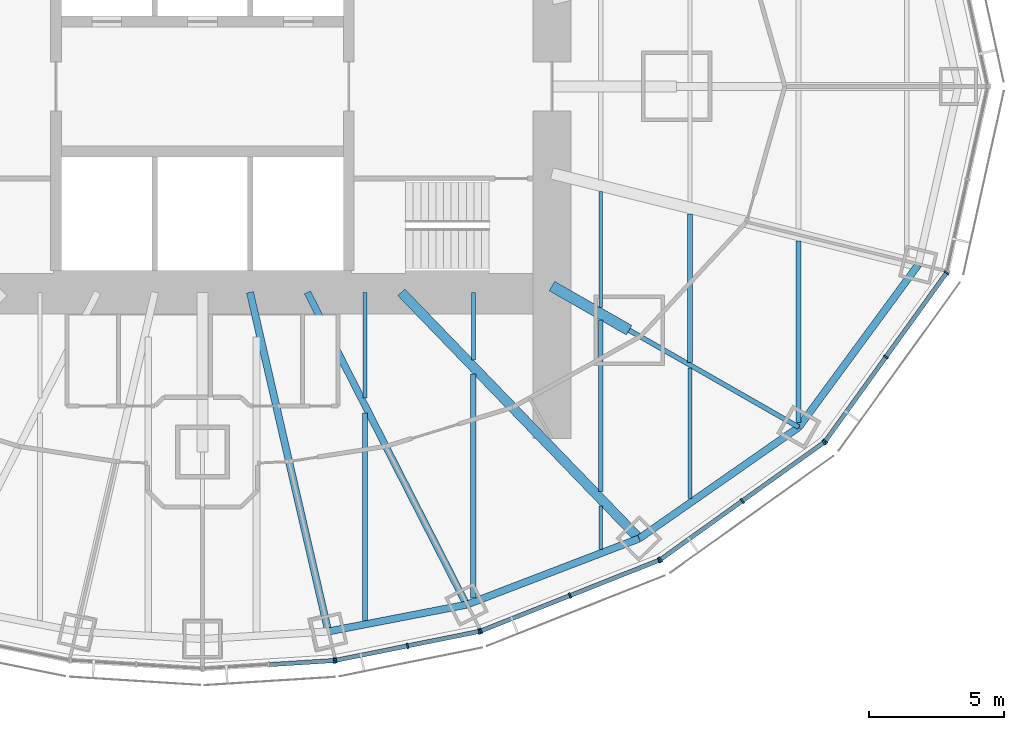
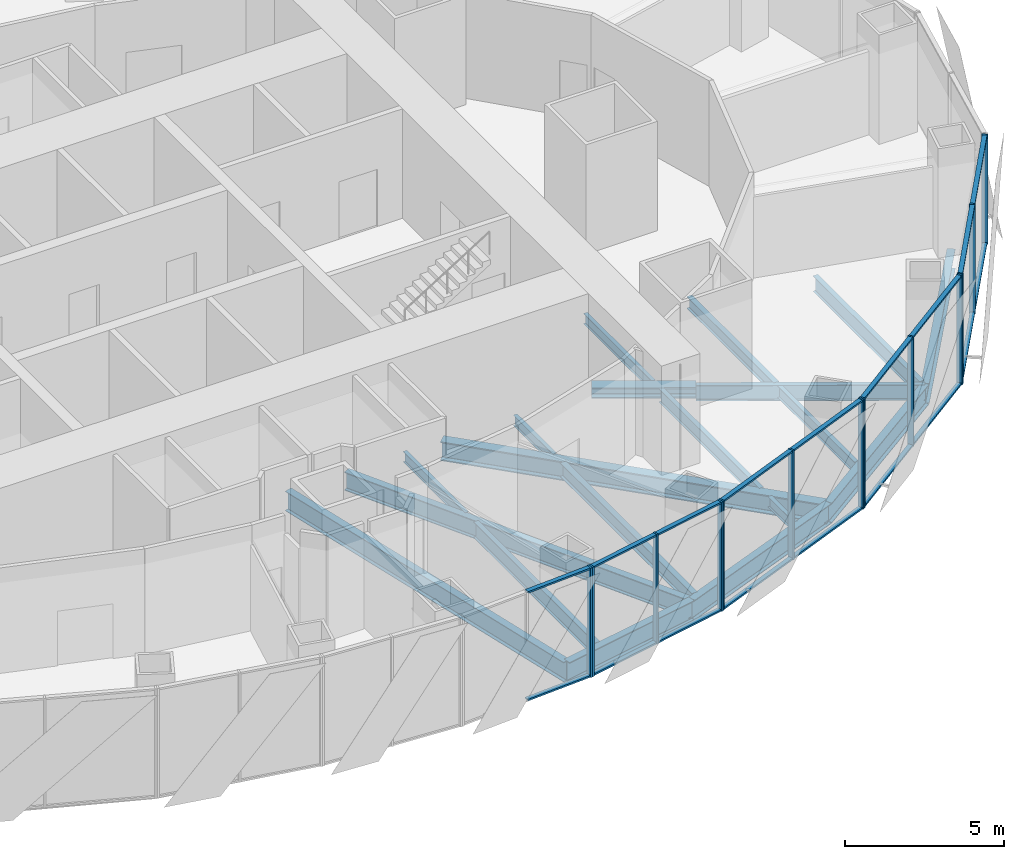
# One storey, part 5 of 17: 31 members, 19 beams, 5 elements without a shape of their own.
"""IFC4 building model written with IfcOpenShell, lengths in metres."""

from ifc_helpers import new_model, si_unit, direction, frame, origin, origin_2d, place, context, subcontext, project, spatial, rectangle, i_section, extrude, material, material_profile, profile_set, type_object, element, aggregate, save


model = new_model("IFC4")

# Units and contexts
model_context = context("Model", 3, precision=1e-05, world=origin(), true_north=direction((0.0, 1.0)))
body_context = subcontext(model_context, "Body", "Model", "MODEL_VIEW")
ifc_project = project(units=[si_unit("LENGTHUNIT", "METRE"), si_unit("AREAUNIT", "SQUARE_METRE"), si_unit("VOLUMEUNIT", "CUBIC_METRE"), si_unit("PLANEANGLEUNIT", "RADIAN"), si_unit("MASSUNIT", "GRAM", prefix="KILO")], contexts=[model_context])

# Site, building, storey
site_placement = place(None, origin())
site = spatial("IfcSite", under=ifc_project, at=site_placement, CompositionType="ELEMENT")
building_placement = place(site_placement, origin())
building = spatial("IfcBuilding", under=site, at=building_placement, Name="Lantaw Convention Tower", CompositionType="ELEMENT")
storey_placement = place(building_placement, frame((0.0, 0.0, 163.60009765625)))
storey = spatial("IfcBuildingStorey", under=building, at=storey_placement, Name="L38", CompositionType="ELEMENT", Elevation=163.60009765625)

# Beams
ifc_material_1 = material(Name="Steel ASTM A992", Category="steel")
ifc_material_profile_1 = material_profile(ifc_material_1, i_section(OverallWidth=0.2666015625, OverallDepth=0.76953125, WebThickness=0.015625, FlangeThickness=0.025390625, FilletRadius=0.0126953125, at=origin_2d()), Name="W30X132")
ifc_profile_set_1 = profile_set([ifc_material_profile_1], Name="Steel ASTM A992")
beam_type_1 = type_object("IfcBeamType", Name="Beam E W30X132", PredefinedType="SPANDREL", material=ifc_profile_set_1)
beam_1_placement = place(storey_placement, frame((4.64501953125, -20.1201171875, -0.534912109375), z_axis=(0.981796805654, 0.189934284446, 0.0), x_axis=(-0.189934284446, 0.981796805654, 0.0)))
element("IfcBeam", 1, at=beam_1_placement, inside=storey, type_object=beam_type_1, Name="Edge beam 20", PredefinedType="SPANDREL", context=body_context, shape_type="SweptSolid", body=[
    extrude(i_section(OverallWidth=0.2666015625, OverallDepth=0.76953125, WebThickness=0.015625, FlangeThickness=0.025390625, FilletRadius=0.0126953125, at=origin_2d()), origin(), (0.0, 0.0, 1.0), 5.1982421875),
])
beam_2_placement = place(storey_placement, frame((9.74853515625, -19.1328125, -0.534912109375), z_axis=(0.933691081977, 0.358079549033, 0.0), x_axis=(-0.358079549033, 0.933691081977, 0.0)))
element("IfcBeam", 2, at=beam_2_placement, inside=storey, type_object=beam_type_1, Name="Edge beam 21", PredefinedType="SPANDREL", context=body_context, shape_type="SweptSolid", body=[
    extrude(i_section(OverallWidth=0.2666015625, OverallDepth=0.76953125, WebThickness=0.015625, FlangeThickness=0.025390625, FilletRadius=0.0126953125, at=origin_2d()), origin(), (0.0, 0.0, 1.0), 6.821533203125),
])
beam_3_placement = place(storey_placement, frame((16.11767578125, -16.690185546875, -0.534912109375), z_axis=(0.820310765287, 0.57191804339, 0.0), x_axis=(-0.57191804339, 0.820310765287, 0.0)))
element("IfcBeam", 3, at=beam_3_placement, inside=storey, type_object=beam_type_1, Name="Edge beam 22", PredefinedType="SPANDREL", context=body_context, shape_type="SweptSolid", body=[
    extrude(i_section(OverallWidth=0.2666015625, OverallDepth=0.76953125, WebThickness=0.015625, FlangeThickness=0.025390625, FilletRadius=0.0126953125, at=origin_2d()), origin(), (0.0, 0.0, 1.0), 7.187744140625),
])
beam_4_placement = place(storey_placement, frame((22.013916015625, -12.579345703125, -0.534912109375), z_axis=(0.5923891972, 0.805651934176, 0.0), x_axis=(-0.805651934176, 0.5923891972, 0.0)))
element("IfcBeam", 4, at=beam_4_placement, inside=storey, type_object=beam_type_1, Name="Edge beam 23", PredefinedType="SPANDREL", context=body_context, shape_type="SweptSolid", body=[
    extrude(i_section(OverallWidth=0.2666015625, OverallDepth=0.76953125, WebThickness=0.015625, FlangeThickness=0.025390625, FilletRadius=0.0126953125, at=origin_2d()), origin(), (0.0, 0.0, 1.0), 7.437744140625),
])
ifc_material_profile_2 = material_profile(ifc_material_1, i_section(OverallWidth=0.177978515625, OverallDepth=0.599365234375, WebThickness=0.010009765625, FlangeThickness=0.012939453125, FilletRadius=0.012939453125, at=origin_2d()), Name="W24X55")
ifc_profile_set_2 = profile_set([ifc_material_profile_2], Name="Steel ASTM A992")
beam_type_2 = type_object("IfcBeamType", Name="Beam G W24X55", PredefinedType="BEAM", material=ifc_profile_set_2)
beam_5_placement = place(storey_placement, frame((15.75, -9.0, -0.44970703125), z_axis=(0.868245224608, -0.496135293993, 0.0), x_axis=(0.496135293993, 0.868245224608, 0.0)))
element("IfcBeam", 5, at=beam_5_placement, inside=storey, type_object=beam_type_2, Name="Floor girder on ray 23", PredefinedType="BEAM", context=body_context, shape_type="SweptSolid", body=[
    extrude(i_section(OverallWidth=0.177978515625, OverallDepth=0.599365234375, WebThickness=0.010009765625, FlangeThickness=0.012939453125, FilletRadius=0.012939453125, at=origin_2d()), origin(), (0.0, 0.0, 1.0), 7.21435546875),
])
ifc_material_profile_3 = material_profile(ifc_material_1, i_section(OverallWidth=0.25390625, OverallDepth=0.700927734375, WebThickness=0.015380859375, FlangeThickness=0.02783203125, FilletRadius=0.01513671875, at=origin_2d()), Name="W27X129")
ifc_profile_set_3 = profile_set([ifc_material_profile_3], Name="Steel ASTM A992")
beam_type_3 = type_object("IfcBeamType", Name="Beam G W27X129", PredefinedType="BEAM", material=ifc_profile_set_3)
beam_6_placement = place(storey_placement, frame((3.872314453125, -7.60009765625, -0.500732421875), z_axis=(0.453991051051, -0.891006243281, 0.0), x_axis=(0.891006243281, 0.453991051051, 0.0)))
element("IfcBeam", 6, at=beam_6_placement, inside=storey, type_object=beam_type_3, Name="Floor girder on ray 21", PredefinedType="BEAM", context=body_context, shape_type="SweptSolid", body=[
    extrude(i_section(OverallWidth=0.25390625, OverallDepth=0.700927734375, WebThickness=0.015380859375, FlangeThickness=0.02783203125, FilletRadius=0.01513671875, at=origin_2d()), origin(), (0.0, 0.0, 1.0), 12.943359375),
])
ifc_material_profile_4 = material_profile(ifc_material_1, i_section(OverallWidth=0.360595703125, OverallDepth=0.72900390625, WebThickness=0.023193359375, FlangeThickness=0.041015625, FilletRadius=0.0126953125, at=origin_2d()), Name="W27X235")
ifc_profile_set_4 = profile_set([ifc_material_profile_4], Name="Steel ASTM A992")
beam_type_4 = type_object("IfcBeamType", Name="Beam G W27X235", PredefinedType="BEAM", material=ifc_profile_set_4)
beam_7_placement = place(storey_placement, frame((7.33935546875, -7.60009765625, -0.5146484375), z_axis=(0.694663467407, -0.719334878239, 0.0), x_axis=(0.719334878239, 0.694663467407, 0.0)))
element("IfcBeam", 7, at=beam_7_placement, inside=storey, type_object=beam_type_4, Name="Floor girder on ray 22", PredefinedType="BEAM", context=body_context, shape_type="SweptSolid", body=[
    extrude(i_section(OverallWidth=0.360595703125, OverallDepth=0.72900390625, WebThickness=0.023193359375, FlangeThickness=0.041015625, FilletRadius=0.0126953125, at=origin_2d()), origin(), (0.0, 0.0, 1.0), 12.63671875),
])
ifc_material_profile_5 = material_profile(ifc_material_1, i_section(OverallWidth=0.2666015625, OverallDepth=0.7568359375, WebThickness=0.013916015625, FlangeThickness=0.019287109375, FilletRadius=0.0126953125, at=origin_2d()), Name="W30X108")
ifc_profile_set_5 = profile_set([ifc_material_profile_5], Name="Steel ASTM A992")
beam_type_5 = type_object("IfcBeamType", Name="Beam G W30X108", PredefinedType="BEAM", material=ifc_profile_set_5)
beam_8_placement = place(storey_placement, frame((1.754638671875, -7.60009765625, -0.528564453125), z_axis=(0.224944153104, -0.974371658036, 0.0), x_axis=(0.974371658036, 0.224944153104, 0.0)))
element("IfcBeam", 8, at=beam_8_placement, inside=storey, type_object=beam_type_5, Name="Floor girder on ray 20", PredefinedType="BEAM", context=body_context, shape_type="SweptSolid", body=[
    extrude(i_section(OverallWidth=0.2666015625, OverallDepth=0.7568359375, WebThickness=0.013916015625, FlangeThickness=0.019287109375, FilletRadius=0.0126953125, at=origin_2d()), origin(), (0.0, 0.0, 1.0), 12.849365234375),
])
ifc_material_profile_6 = material_profile(ifc_material_1, i_section(OverallWidth=0.40380859375, OverallDepth=0.406494140625, WebThickness=0.027099609375, FlangeThickness=0.043701171875, FilletRadius=0.01513671875, at=origin_2d()), Name="W14X233")
ifc_profile_set_6 = profile_set([ifc_material_profile_6], Name="Steel ASTM A992")
beam_type_6 = type_object("IfcBeamType", Name="Beam GM W14X233", PredefinedType="BEAM", material=ifc_profile_set_6)
beam_9_placement = place(storey_placement, frame((12.89990234375, -7.371337890625, -0.353271484375), z_axis=(0.868238565244, -0.496146947811, 0.0), x_axis=(0.496146947811, 0.868238565244, 0.0)))
element("IfcBeam", 9, at=beam_9_placement, inside=storey, type_object=beam_type_6, Name="Core link beam on ray 23", PredefinedType="BEAM", context=body_context, shape_type="SweptSolid", body=[
    extrude(i_section(OverallWidth=0.40380859375, OverallDepth=0.406494140625, WebThickness=0.027099609375, FlangeThickness=0.043701171875, FilletRadius=0.01513671875, at=origin_2d()), origin(), (0.0, 0.0, 1.0), 3.28271484375),
])
ifc_material_profile_7 = material_profile(ifc_material_1, i_section(OverallWidth=0.140380859375, OverallDepth=0.40380859375, WebThickness=0.007080078125, FlangeThickness=0.01123046875, FilletRadius=0.01025390625, at=origin_2d()), Name="W16X31")
ifc_profile_set_7 = profile_set([ifc_material_profile_7], Name="Steel ASTM A992")
beam_type_7 = type_object("IfcBeamType", Name="Beam J W16X31", PredefinedType="JOIST", material=ifc_profile_set_7)
beam_10_placement = place(storey_placement, frame((6.0, -11.495849609375, -0.35205078125), z_axis=(0.0, 1.0, 0.0), x_axis=(-1.0, 0.0, 0.0)))
element("IfcBeam", 10, at=beam_10_placement, inside=storey, type_object=beam_type_7, Name="Floor joist", PredefinedType="JOIST", context=body_context, shape_type="SweptSolid", body=[
    extrude(i_section(OverallWidth=0.140380859375, OverallDepth=0.40380859375, WebThickness=0.007080078125, FlangeThickness=0.01123046875, FilletRadius=0.01025390625, at=origin_2d()), origin(), (0.0, 0.0, 1.0), 3.895751953125),
])
beam_11_placement = place(storey_placement, frame((10.0, -10.095703125, -0.35205078125), z_axis=(0.0, 1.0, 0.0), x_axis=(-1.0, 0.0, 0.0)))
element("IfcBeam", 11, at=beam_11_placement, inside=storey, type_object=beam_type_7, Name="Floor joist", PredefinedType="JOIST", context=body_context, shape_type="SweptSolid", body=[
    extrude(i_section(OverallWidth=0.140380859375, OverallDepth=0.40380859375, WebThickness=0.007080078125, FlangeThickness=0.01123046875, FilletRadius=0.01025390625, at=origin_2d()), origin(), (0.0, 0.0, 1.0), 2.49560546875),
])
beam_12_placement = place(storey_placement, frame((14.699951171875, -17.091064453125, -0.35205078125), z_axis=(0.0, 1.0, 0.0), x_axis=(-1.0, 0.0, 0.0)))
element("IfcBeam", 12, at=beam_12_placement, inside=storey, type_object=beam_type_7, Name="Floor joist", PredefinedType="JOIST", context=body_context, shape_type="SweptSolid", body=[
    extrude(i_section(OverallWidth=0.140380859375, OverallDepth=0.40380859375, WebThickness=0.007080078125, FlangeThickness=0.01123046875, FilletRadius=0.01025390625, at=origin_2d()), origin(), (0.0, 0.0, 1.0), 1.609130859375),
])
beam_13_placement = place(storey_placement, frame((14.699951171875, -8.16748046875, -0.35205078125), z_axis=(0.0, 1.0, 0.0), x_axis=(-1.0, 0.0, 0.0)))
element("IfcBeam", 13, at=beam_13_placement, inside=storey, type_object=beam_type_7, Name="Floor joist", PredefinedType="JOIST", context=body_context, shape_type="SweptSolid", body=[
    extrude(i_section(OverallWidth=0.140380859375, OverallDepth=0.40380859375, WebThickness=0.007080078125, FlangeThickness=0.01123046875, FilletRadius=0.01025390625, at=origin_2d()), origin(), (0.0, 0.0, 1.0), 4.28515625),
])
ifc_material_profile_8 = material_profile(ifc_material_1, i_section(OverallWidth=0.15234375, OverallDepth=0.449462890625, WebThickness=0.007568359375, FlangeThickness=0.0107421875, FilletRadius=0.01025390625, at=origin_2d()), Name="W18X35")
ifc_profile_set_8 = profile_set([ifc_material_profile_8], Name="Steel ASTM A992")
beam_type_8 = type_object("IfcBeamType", Name="Beam J W18X35", PredefinedType="JOIST", material=ifc_profile_set_8)
beam_14_placement = place(storey_placement, frame((18.0, -15.21533203125, -0.375), z_axis=(0.0, 1.0, 0.0), x_axis=(-1.0, 0.0, 0.0)))
element("IfcBeam", 14, at=beam_14_placement, inside=storey, type_object=beam_type_8, Name="Floor joist", PredefinedType="JOIST", context=body_context, shape_type="SweptSolid", body=[
    extrude(i_section(OverallWidth=0.15234375, OverallDepth=0.449462890625, WebThickness=0.007568359375, FlangeThickness=0.0107421875, FilletRadius=0.01025390625, at=origin_2d()), origin(), (0.0, 0.0, 1.0), 4.8271484375),
])
ifc_material_profile_9 = material_profile(ifc_material_1, i_section(OverallWidth=0.1904296875, OverallDepth=0.457275390625, WebThickness=0.009033203125, FlangeThickness=0.014404296875, FilletRadius=0.01025390625, at=origin_2d()), Name="W18X50")
ifc_profile_set_9 = profile_set([ifc_material_profile_9], Name="Steel ASTM A992")
beam_type_9 = type_object("IfcBeamType", Name="Beam J W18X50", PredefinedType="JOIST", material=ifc_profile_set_9)
beam_15_placement = place(storey_placement, frame((18.0, -10.18310546875, -0.378662109375), z_axis=(0.0, 1.0, 0.0), x_axis=(-1.0, 0.0, 0.0)))
element("IfcBeam", 15, at=beam_15_placement, inside=storey, type_object=beam_type_9, Name="Floor joist", PredefinedType="JOIST", context=body_context, shape_type="SweptSolid", body=[
    extrude(i_section(OverallWidth=0.1904296875, OverallDepth=0.457275390625, WebThickness=0.009033203125, FlangeThickness=0.014404296875, FilletRadius=0.01025390625, at=origin_2d()), origin(), (0.0, 0.0, 1.0), 5.47802734375),
])
ifc_material_profile_10 = material_profile(ifc_material_1, i_section(OverallWidth=0.1650390625, OverallDepth=0.52587890625, WebThickness=0.0087890625, FlangeThickness=0.011474609375, FilletRadius=0.0126953125, at=origin_2d()), Name="W21X44")
ifc_profile_set_10 = profile_set([ifc_material_profile_10], Name="Steel ASTM A992")
beam_type_10 = type_object("IfcBeamType", Name="Beam J W21X44", PredefinedType="JOIST", material=ifc_profile_set_10)
beam_16_placement = place(storey_placement, frame((14.699951171875, -14.962646484375, -0.4130859375), z_axis=(0.0, 1.0, 0.0), x_axis=(-1.0, 0.0, 0.0)))
element("IfcBeam", 16, at=beam_16_placement, inside=storey, type_object=beam_type_10, Name="Floor joist", PredefinedType="JOIST", context=body_context, shape_type="SweptSolid", body=[
    extrude(i_section(OverallWidth=0.1650390625, OverallDepth=0.52587890625, WebThickness=0.0087890625, FlangeThickness=0.011474609375, FilletRadius=0.0126953125, at=origin_2d()), origin(), (0.0, 0.0, 1.0), 6.330078125),
])
ifc_material_profile_11 = material_profile(ifc_material_1, i_section(OverallWidth=0.2099609375, OverallDepth=0.535888671875, WebThickness=0.010986328125, FlangeThickness=0.017333984375, FilletRadius=0.012939453125, at=origin_2d()), Name="W21X68")
ifc_profile_set_11 = profile_set([ifc_material_profile_11], Name="Steel ASTM A992")
beam_type_11 = type_object("IfcBeamType", Name="Beam J W21X68", PredefinedType="JOIST", material=ifc_profile_set_11)
beam_17_placement = place(storey_placement, frame((10.0, -18.8935546875, -0.41796875), z_axis=(0.0, 1.0, 0.0), x_axis=(-1.0, 0.0, 0.0)))
element("IfcBeam", 17, at=beam_17_placement, inside=storey, type_object=beam_type_11, Name="Floor joist", PredefinedType="JOIST", context=body_context, shape_type="SweptSolid", body=[
    extrude(i_section(OverallWidth=0.2099609375, OverallDepth=0.535888671875, WebThickness=0.010986328125, FlangeThickness=0.017333984375, FilletRadius=0.012939453125, at=origin_2d()), origin(), (0.0, 0.0, 1.0), 8.278564453125),
])
ifc_material_profile_12 = material_profile(ifc_material_1, i_section(OverallWidth=0.177978515625, OverallDepth=0.599365234375, WebThickness=0.010009765625, FlangeThickness=0.012939453125, FilletRadius=0.012939453125, at=origin_2d()), Name="W24X55")
ifc_profile_set_12 = profile_set([ifc_material_profile_12], Name="Steel ASTM A992")
beam_type_12 = type_object("IfcBeamType", Name="Beam J W24X55", PredefinedType="JOIST", material=ifc_profile_set_12)
beam_18_placement = place(storey_placement, frame((6.0, -19.72216796875, -0.44970703125), z_axis=(0.0, 1.0, 0.0), x_axis=(-1.0, 0.0, 0.0)))
element("IfcBeam", 18, at=beam_18_placement, inside=storey, type_object=beam_type_12, Name="Floor joist", PredefinedType="JOIST", context=body_context, shape_type="SweptSolid", body=[
    extrude(i_section(OverallWidth=0.177978515625, OverallDepth=0.599365234375, WebThickness=0.010009765625, FlangeThickness=0.012939453125, FilletRadius=0.012939453125, at=origin_2d()), origin(), (0.0, 0.0, 1.0), 7.666748046875),
])
beam_19_placement = place(storey_placement, frame((22.0, -12.408935546875, -0.44970703125), z_axis=(0.0, 1.0, 0.0), x_axis=(-1.0, 0.0, 0.0)))
element("IfcBeam", 19, at=beam_19_placement, inside=storey, type_object=beam_type_12, Name="Floor joist", PredefinedType="JOIST", context=body_context, shape_type="SweptSolid", body=[
    extrude(i_section(OverallWidth=0.177978515625, OverallDepth=0.599365234375, WebThickness=0.010009765625, FlangeThickness=0.012939453125, FilletRadius=0.012939453125, at=origin_2d()), origin(), (0.0, 0.0, 1.0), 6.70654296875),
])

# Curtain wall, member
ifc_material_2 = material(Name="Aluminium framed curtain wall", Category="aluminium")
curtain_wall_type = type_object("IfcCurtainWallType", Name="Office curtain wall low rise, pale aluminium", PredefinedType="USERDEFINED", material=ifc_material_2)
curtain_wall_1_placement = place(storey_placement, origin())
curtain_wall_1 = element("IfcCurtainWall", 20, at=curtain_wall_1_placement, inside=storey, type_object=curtain_wall_type, Name="Office curtain wall low rise, pale aluminium L38", ObjectType="UNITISED CURTAIN WALL", PredefinedType="USERDEFINED")
ifc_material_3 = material(Name="Aluminium 6063-T6", Category="aluminium")
ifc_material_profile_13 = material_profile(ifc_material_3, rectangle(XDim=0.199951171875, YDim=0.06494140625, at=origin_2d()), Name="CW-O1 mullion 65x200")
ifc_profile_set_13 = profile_set([ifc_material_profile_13], Name="Aluminium 6063-T6")
member_type_1 = type_object("IfcMemberType", Name="CW-O1 mullion 65x200", PredefinedType="MULLION", material=ifc_profile_set_13)
member_1_placement = place(storey_placement, frame((4.860107421875, -21.19384765625, -0.150146484375), z_axis=(0.0, 0.0, 1.0), x_axis=(-0.062865059466, 0.998022035978, 0.0)))
member_1 = element("IfcMember", 21, at=member_1_placement, type_object=member_type_1, Name="CW-O1 mullion 3", PredefinedType="MULLION", context=body_context, shape_type="SweptSolid", body=[
    extrude(rectangle(XDim=0.199951171875, YDim=0.06494140625, at=origin_2d()), origin(), (0.0, 0.0, 1.0), 4.199951171875),
])

# Curtain wall, members
curtain_wall_2_placement = place(storey_placement, origin())
curtain_wall_2 = element("IfcCurtainWall", 22, at=curtain_wall_2_placement, inside=storey, type_object=curtain_wall_type, Name="Office curtain wall low rise, pale aluminium L38", ObjectType="UNITISED CURTAIN WALL", PredefinedType="USERDEFINED")
member_2_placement = place(storey_placement, frame((4.92431640625, -21.185302734375, -0.150146484375), z_axis=(0.0, 0.0, 1.0), x_axis=(-0.197506809659, 0.980301514912, 0.0)))
member_2 = element("IfcMember", 23, at=member_2_placement, type_object=member_type_1, Name="CW-O1 mullion 1", PredefinedType="MULLION", context=body_context, shape_type="SweptSolid", body=[
    extrude(rectangle(XDim=0.199951171875, YDim=0.06494140625, at=origin_2d()), origin(), (0.0, 0.0, 1.0), 4.199951171875),
])
member_3_placement = place(storey_placement, frame((7.5703125, -20.65234375, -0.150146484375), z_axis=(0.0, 0.0, 1.0), x_axis=(-0.197506809659, 0.980301514912, 0.0)))
member_3 = element("IfcMember", 24, at=member_3_placement, type_object=member_type_1, Name="CW-O1 mullion 2", PredefinedType="MULLION", context=body_context, shape_type="SweptSolid", body=[
    extrude(rectangle(XDim=0.199951171875, YDim=0.06494140625, at=origin_2d()), origin(), (0.0, 0.0, 1.0), 4.199951171875),
])
member_4_placement = place(storey_placement, frame((10.216064453125, -20.119140625, -0.150146484375), z_axis=(0.0, 0.0, 1.0), x_axis=(-0.197506809659, 0.980301514912, 0.0)))
member_4 = element("IfcMember", 25, at=member_4_placement, type_object=member_type_1, Name="CW-O1 mullion 3", PredefinedType="MULLION", context=body_context, shape_type="SweptSolid", body=[
    extrude(rectangle(XDim=0.199951171875, YDim=0.06494140625, at=origin_2d()), origin(), (0.0, 0.0, 1.0), 4.199951171875),
])

curtain_wall_3_placement = place(storey_placement, origin())
curtain_wall_3 = element("IfcCurtainWall", 26, at=curtain_wall_3_placement, inside=storey, type_object=curtain_wall_type, Name="Office curtain wall low rise, pale aluminium L38", ObjectType="UNITISED CURTAIN WALL", PredefinedType="USERDEFINED")
member_5_placement = place(storey_placement, frame((10.2783203125, -20.100830078125, -0.150146484375), z_axis=(0.0, 0.0, 1.0), x_axis=(-0.368701907483, 0.929547687544, 0.0)))
member_5 = element("IfcMember", 27, at=member_5_placement, type_object=member_type_1, Name="CW-O1 mullion 1", PredefinedType="MULLION", context=body_context, shape_type="SweptSolid", body=[
    extrude(rectangle(XDim=0.199951171875, YDim=0.06494140625, at=origin_2d()), origin(), (0.0, 0.0, 1.0), 4.199951171875),
])
member_6_placement = place(storey_placement, frame((13.56494140625, -18.797119140625, -0.150146484375), z_axis=(0.0, 0.0, 1.0), x_axis=(-0.368701907483, 0.929547687544, 0.0)))
member_6 = element("IfcMember", 28, at=member_6_placement, type_object=member_type_1, Name="CW-O1 mullion 2", PredefinedType="MULLION", context=body_context, shape_type="SweptSolid", body=[
    extrude(rectangle(XDim=0.199951171875, YDim=0.06494140625, at=origin_2d()), origin(), (0.0, 0.0, 1.0), 4.199951171875),
])
member_7_placement = place(storey_placement, frame((16.8515625, -17.49365234375, -0.150146484375), z_axis=(0.0, 0.0, 1.0), x_axis=(-0.368701907483, 0.929547687544, 0.0)))
member_7 = element("IfcMember", 29, at=member_7_placement, type_object=member_type_1, Name="CW-O1 mullion 3", PredefinedType="MULLION", context=body_context, shape_type="SweptSolid", body=[
    extrude(rectangle(XDim=0.199951171875, YDim=0.06494140625, at=origin_2d()), origin(), (0.0, 0.0, 1.0), 4.199951171875),
])

curtain_wall_4_placement = place(storey_placement, origin())
curtain_wall_4 = element("IfcCurtainWall", 30, at=curtain_wall_4_placement, inside=storey, type_object=curtain_wall_type, Name="Office curtain wall low rise, pale aluminium L38", ObjectType="UNITISED CURTAIN WALL", PredefinedType="USERDEFINED")
member_8_placement = place(storey_placement, frame((16.908203125, -17.462646484375, -0.150146484375), z_axis=(0.0, 0.0, 1.0), x_axis=(-0.581972695693, 0.813208325995, 0.0)))
member_8 = element("IfcMember", 31, at=member_8_placement, type_object=member_type_1, Name="CW-O1 mullion 1", PredefinedType="MULLION", context=body_context, shape_type="SweptSolid", body=[
    extrude(rectangle(XDim=0.199951171875, YDim=0.06494140625, at=origin_2d()), origin(), (0.0, 0.0, 1.0), 4.199951171875),
])
member_9_placement = place(storey_placement, frame((19.92529296875, -15.303466796875, -0.150146484375), z_axis=(0.0, 0.0, 1.0), x_axis=(-0.581972695693, 0.813208325995, 0.0)))
member_9 = element("IfcMember", 32, at=member_9_placement, type_object=member_type_1, Name="CW-O1 mullion 2", PredefinedType="MULLION", context=body_context, shape_type="SweptSolid", body=[
    extrude(rectangle(XDim=0.199951171875, YDim=0.06494140625, at=origin_2d()), origin(), (0.0, 0.0, 1.0), 4.199951171875),
])
member_10_placement = place(storey_placement, frame((22.942626953125, -13.14404296875, -0.150146484375), z_axis=(0.0, 0.0, 1.0), x_axis=(-0.581972695693, 0.813208325995, 0.0)))
member_10 = element("IfcMember", 33, at=member_10_placement, type_object=member_type_1, Name="CW-O1 mullion 3", PredefinedType="MULLION", context=body_context, shape_type="SweptSolid", body=[
    extrude(rectangle(XDim=0.199951171875, YDim=0.06494140625, at=origin_2d()), origin(), (0.0, 0.0, 1.0), 4.199951171875),
])

curtain_wall_5_placement = place(storey_placement, origin())
curtain_wall_5 = element("IfcCurtainWall", 34, at=curtain_wall_5_placement, inside=storey, type_object=curtain_wall_type, Name="Office curtain wall low rise, pale aluminium L38", ObjectType="UNITISED CURTAIN WALL", PredefinedType="USERDEFINED")
member_11_placement = place(storey_placement, frame((22.988037109375, -13.098876953125, -0.150146484375), z_axis=(0.0, 0.0, 1.0), x_axis=(-0.811384633629, 0.584512597221, 0.0)))
member_11 = element("IfcMember", 35, at=member_11_placement, type_object=member_type_1, Name="CW-O1 mullion 1", PredefinedType="MULLION", context=body_context, shape_type="SweptSolid", body=[
    extrude(rectangle(XDim=0.199951171875, YDim=0.06494140625, at=origin_2d()), origin(), (0.0, 0.0, 1.0), 4.199951171875),
])
member_12_placement = place(storey_placement, frame((25.22802734375, -9.9892578125, -0.150146484375), z_axis=(0.0, 0.0, 1.0), x_axis=(-0.811384633629, 0.584512597221, 0.0)))
member_12 = element("IfcMember", 36, at=member_12_placement, type_object=member_type_1, Name="CW-O1 mullion 2", PredefinedType="MULLION", context=body_context, shape_type="SweptSolid", body=[
    extrude(rectangle(XDim=0.199951171875, YDim=0.06494140625, at=origin_2d()), origin(), (0.0, 0.0, 1.0), 4.199951171875),
])
member_13_placement = place(storey_placement, frame((27.46826171875, -6.879638671875, -0.150146484375), z_axis=(0.0, 0.0, 1.0), x_axis=(-0.811384633629, 0.584512597221, 0.0)))
member_13 = element("IfcMember", 37, at=member_13_placement, type_object=member_type_1, Name="CW-O1 mullion 3", PredefinedType="MULLION", context=body_context, shape_type="SweptSolid", body=[
    extrude(rectangle(XDim=0.199951171875, YDim=0.06494140625, at=origin_2d()), origin(), (0.0, 0.0, 1.0), 4.199951171875),
])

# Member
ifc_material_profile_14 = material_profile(ifc_material_3, rectangle(XDim=0.159912109375, YDim=0.06494140625, at=origin_2d()), Name="CW-O1 transom 65x160")
ifc_profile_set_14 = profile_set([ifc_material_profile_14], Name="Aluminium 6063-T6")
member_type_2 = type_object("IfcMemberType", Name="CW-O1 transom 65x160", PredefinedType="USERDEFINED", material=ifc_profile_set_14)
member_14_placement = place(storey_placement, frame((2.478759765625, -21.34375, -0.11767578125), z_axis=(0.998022188463, 0.062862638625, 0.0), x_axis=(-0.062862638625, 0.998022188463, 0.0)))
member_14 = element("IfcMember", 38, at=member_14_placement, type_object=member_type_2, Name="CW-O1 transom 2.1", ObjectType="TRANSOM", PredefinedType="USERDEFINED", context=body_context, shape_type="SweptSolid", body=[
    extrude(rectangle(XDim=0.159912109375, YDim=0.06494140625, at=origin_2d()), origin(), (0.0, 0.0, 1.0), 2.353515625),
])

member_15_placement = place(storey_placement, frame((2.478759765625, -21.34375, 4.017333984375), z_axis=(0.998022188463, 0.062862638625, 0.0), x_axis=(-0.062862638625, 0.998022188463, 0.0)))
member_15 = element("IfcMember", 39, at=member_15_placement, type_object=member_type_2, Name="CW-O1 transom 2.2", ObjectType="TRANSOM", PredefinedType="USERDEFINED", context=body_context, shape_type="SweptSolid", body=[
    extrude(rectangle(XDim=0.159912109375, YDim=0.06494140625, at=origin_2d()), origin(), (0.0, 0.0, 1.0), 2.353515625),
])

aggregate(curtain_wall_1, [member_1, member_14, member_15])

member_16_placement = place(storey_placement, frame((4.956298828125, -21.178955078125, -0.11767578125), z_axis=(0.980298027092, 0.197524120247, 0.0), x_axis=(-0.197524120247, 0.980298027092, 0.0)))
member_16 = element("IfcMember", 40, at=member_16_placement, type_object=member_type_2, Name="CW-O1 transom 1.1", ObjectType="TRANSOM", PredefinedType="USERDEFINED", context=body_context, shape_type="SweptSolid", body=[
    extrude(rectangle(XDim=0.159912109375, YDim=0.06494140625, at=origin_2d()), origin(), (0.0, 0.0, 1.0), 2.634033203125),
])

member_17_placement = place(storey_placement, frame((4.956298828125, -21.178955078125, 4.017333984375), z_axis=(0.980298027092, 0.197524120247, 0.0), x_axis=(-0.197524120247, 0.980298027092, 0.0)))
member_17 = element("IfcMember", 41, at=member_17_placement, type_object=member_type_2, Name="CW-O1 transom 1.2", ObjectType="TRANSOM", PredefinedType="USERDEFINED", context=body_context, shape_type="SweptSolid", body=[
    extrude(rectangle(XDim=0.159912109375, YDim=0.06494140625, at=origin_2d()), origin(), (0.0, 0.0, 1.0), 2.634033203125),
])

member_18_placement = place(storey_placement, frame((7.60205078125, -20.64599609375, -0.11767578125), z_axis=(0.980301643003, 0.197506173891, 0.0), x_axis=(-0.197506173891, 0.980301643003, 0.0)))
member_18 = element("IfcMember", 42, at=member_18_placement, type_object=member_type_2, Name="CW-O1 transom 2.1", ObjectType="TRANSOM", PredefinedType="USERDEFINED", context=body_context, shape_type="SweptSolid", body=[
    extrude(rectangle(XDim=0.159912109375, YDim=0.06494140625, at=origin_2d()), origin(), (0.0, 0.0, 1.0), 2.63427734375),
])

member_19_placement = place(storey_placement, frame((7.60205078125, -20.64599609375, 4.017333984375), z_axis=(0.980301643003, 0.197506173891, 0.0), x_axis=(-0.197506173891, 0.980301643003, 0.0)))
member_19 = element("IfcMember", 43, at=member_19_placement, type_object=member_type_2, Name="CW-O1 transom 2.2", ObjectType="TRANSOM", PredefinedType="USERDEFINED", context=body_context, shape_type="SweptSolid", body=[
    extrude(rectangle(XDim=0.159912109375, YDim=0.06494140625, at=origin_2d()), origin(), (0.0, 0.0, 1.0), 2.63427734375),
])

aggregate(curtain_wall_2, [member_2, member_3, member_4, member_16, member_17, member_18, member_19])

member_20_placement = place(storey_placement, frame((10.308349609375, -20.0888671875, -0.11767578125), z_axis=(0.929540081544, 0.368721082668, 0.0), x_axis=(-0.368721082668, 0.929540081544, 0.0)))
member_20 = element("IfcMember", 44, at=member_20_placement, type_object=member_type_2, Name="CW-O1 transom 1.1", ObjectType="TRANSOM", PredefinedType="USERDEFINED", context=body_context, shape_type="SweptSolid", body=[
    extrude(rectangle(XDim=0.159912109375, YDim=0.06494140625, at=origin_2d()), origin(), (0.0, 0.0, 1.0), 3.470947265625),
])

member_21_placement = place(storey_placement, frame((10.308349609375, -20.0888671875, 4.017333984375), z_axis=(0.929540081544, 0.368721082668, 0.0), x_axis=(-0.368721082668, 0.929540081544, 0.0)))
member_21 = element("IfcMember", 45, at=member_21_placement, type_object=member_type_2, Name="CW-O1 transom 1.2", ObjectType="TRANSOM", PredefinedType="USERDEFINED", context=body_context, shape_type="SweptSolid", body=[
    extrude(rectangle(XDim=0.159912109375, YDim=0.06494140625, at=origin_2d()), origin(), (0.0, 0.0, 1.0), 3.470947265625),
])

member_22_placement = place(storey_placement, frame((13.594970703125, -18.78515625, -0.11767578125), z_axis=(0.929564188507, 0.368660303592, 0.0), x_axis=(-0.368660303592, 0.929564188507, 0.0)))
member_22 = element("IfcMember", 46, at=member_22_placement, type_object=member_type_2, Name="CW-O1 transom 2.1", ObjectType="TRANSOM", PredefinedType="USERDEFINED", context=body_context, shape_type="SweptSolid", body=[
    extrude(rectangle(XDim=0.159912109375, YDim=0.06494140625, at=origin_2d()), origin(), (0.0, 0.0, 1.0), 3.470703125),
])

member_23_placement = place(storey_placement, frame((13.594970703125, -18.78515625, 4.017333984375), z_axis=(0.929564188507, 0.368660303592, 0.0), x_axis=(-0.368660303592, 0.929564188507, 0.0)))
member_23 = element("IfcMember", 47, at=member_23_placement, type_object=member_type_2, Name="CW-O1 transom 2.2", ObjectType="TRANSOM", PredefinedType="USERDEFINED", context=body_context, shape_type="SweptSolid", body=[
    extrude(rectangle(XDim=0.159912109375, YDim=0.06494140625, at=origin_2d()), origin(), (0.0, 0.0, 1.0), 3.470703125),
])

aggregate(curtain_wall_3, [member_5, member_6, member_7, member_20, member_21, member_22, member_23])

member_24_placement = place(storey_placement, frame((16.9345703125, -17.44384765625, -0.11767578125), z_axis=(0.813190089133, 0.581998177777, 0.0), x_axis=(-0.581998177777, 0.813190089133, 0.0)))
member_24 = element("IfcMember", 48, at=member_24_placement, type_object=member_type_2, Name="CW-O1 transom 1.1", ObjectType="TRANSOM", PredefinedType="USERDEFINED", context=body_context, shape_type="SweptSolid", body=[
    extrude(rectangle(XDim=0.159912109375, YDim=0.06494140625, at=origin_2d()), origin(), (0.0, 0.0, 1.0), 3.645263671875),
])

member_25_placement = place(storey_placement, frame((16.9345703125, -17.44384765625, 4.017333984375), z_axis=(0.813190089133, 0.581998177777, 0.0), x_axis=(-0.581998177777, 0.813190089133, 0.0)))
member_25 = element("IfcMember", 49, at=member_25_placement, type_object=member_type_2, Name="CW-O1 transom 1.2", ObjectType="TRANSOM", PredefinedType="USERDEFINED", context=body_context, shape_type="SweptSolid", body=[
    extrude(rectangle(XDim=0.159912109375, YDim=0.06494140625, at=origin_2d()), origin(), (0.0, 0.0, 1.0), 3.645263671875),
])

member_26_placement = place(storey_placement, frame((19.951904296875, -15.284423828125, -0.11767578125), z_axis=(0.813221785972, 0.581953887194, 0.0), x_axis=(-0.581953887194, 0.813221785972, 0.0)))
member_26 = element("IfcMember", 50, at=member_26_placement, type_object=member_type_2, Name="CW-O1 transom 2.1", ObjectType="TRANSOM", PredefinedType="USERDEFINED", context=body_context, shape_type="SweptSolid", body=[
    extrude(rectangle(XDim=0.159912109375, YDim=0.06494140625, at=origin_2d()), origin(), (0.0, 0.0, 1.0), 3.645263671875),
])

member_27_placement = place(storey_placement, frame((19.951904296875, -15.284423828125, 4.017333984375), z_axis=(0.813221785972, 0.581953887194, 0.0), x_axis=(-0.581953887194, 0.813221785972, 0.0)))
member_27 = element("IfcMember", 51, at=member_27_placement, type_object=member_type_2, Name="CW-O1 transom 2.2", ObjectType="TRANSOM", PredefinedType="USERDEFINED", context=body_context, shape_type="SweptSolid", body=[
    extrude(rectangle(XDim=0.159912109375, YDim=0.06494140625, at=origin_2d()), origin(), (0.0, 0.0, 1.0), 3.645263671875),
])

aggregate(curtain_wall_4, [member_8, member_9, member_10, member_24, member_25, member_26, member_27])

member_28_placement = place(storey_placement, frame((23.007080078125, -13.072509765625, -0.11767578125), z_axis=(0.584512973979, 0.811384362217, 0.0), x_axis=(-0.811384362217, 0.584512973979, 0.0)))
member_28 = element("IfcMember", 52, at=member_28_placement, type_object=member_type_2, Name="CW-O1 transom 1.1", ObjectType="TRANSOM", PredefinedType="USERDEFINED", context=body_context, shape_type="SweptSolid", body=[
    extrude(rectangle(XDim=0.159912109375, YDim=0.06494140625, at=origin_2d()), origin(), (0.0, 0.0, 1.0), 3.767578125),
])

member_29_placement = place(storey_placement, frame((23.007080078125, -13.072509765625, 4.017333984375), z_axis=(0.584512973979, 0.811384362217, 0.0), x_axis=(-0.811384362217, 0.584512973979, 0.0)))
member_29 = element("IfcMember", 53, at=member_29_placement, type_object=member_type_2, Name="CW-O1 transom 1.2", ObjectType="TRANSOM", PredefinedType="USERDEFINED", context=body_context, shape_type="SweptSolid", body=[
    extrude(rectangle(XDim=0.159912109375, YDim=0.06494140625, at=origin_2d()), origin(), (0.0, 0.0, 1.0), 3.767578125),
])

member_30_placement = place(storey_placement, frame((25.2470703125, -9.962890625, -0.11767578125), z_axis=(0.584512973979, 0.811384362217, 0.0), x_axis=(-0.811384362217, 0.584512973979, 0.0)))
member_30 = element("IfcMember", 54, at=member_30_placement, type_object=member_type_2, Name="CW-O1 transom 2.1", ObjectType="TRANSOM", PredefinedType="USERDEFINED", context=body_context, shape_type="SweptSolid", body=[
    extrude(rectangle(XDim=0.159912109375, YDim=0.06494140625, at=origin_2d()), origin(), (0.0, 0.0, 1.0), 3.767578125),
])

member_31_placement = place(storey_placement, frame((25.2470703125, -9.962890625, 4.017333984375), z_axis=(0.584512973979, 0.811384362217, 0.0), x_axis=(-0.811384362217, 0.584512973979, 0.0)))
member_31 = element("IfcMember", 55, at=member_31_placement, type_object=member_type_2, Name="CW-O1 transom 2.2", ObjectType="TRANSOM", PredefinedType="USERDEFINED", context=body_context, shape_type="SweptSolid", body=[
    extrude(rectangle(XDim=0.159912109375, YDim=0.06494140625, at=origin_2d()), origin(), (0.0, 0.0, 1.0), 3.767578125),
])

aggregate(curtain_wall_5, [member_11, member_12, member_13, member_28, member_29, member_30, member_31])

save(model, "model.ifc")
